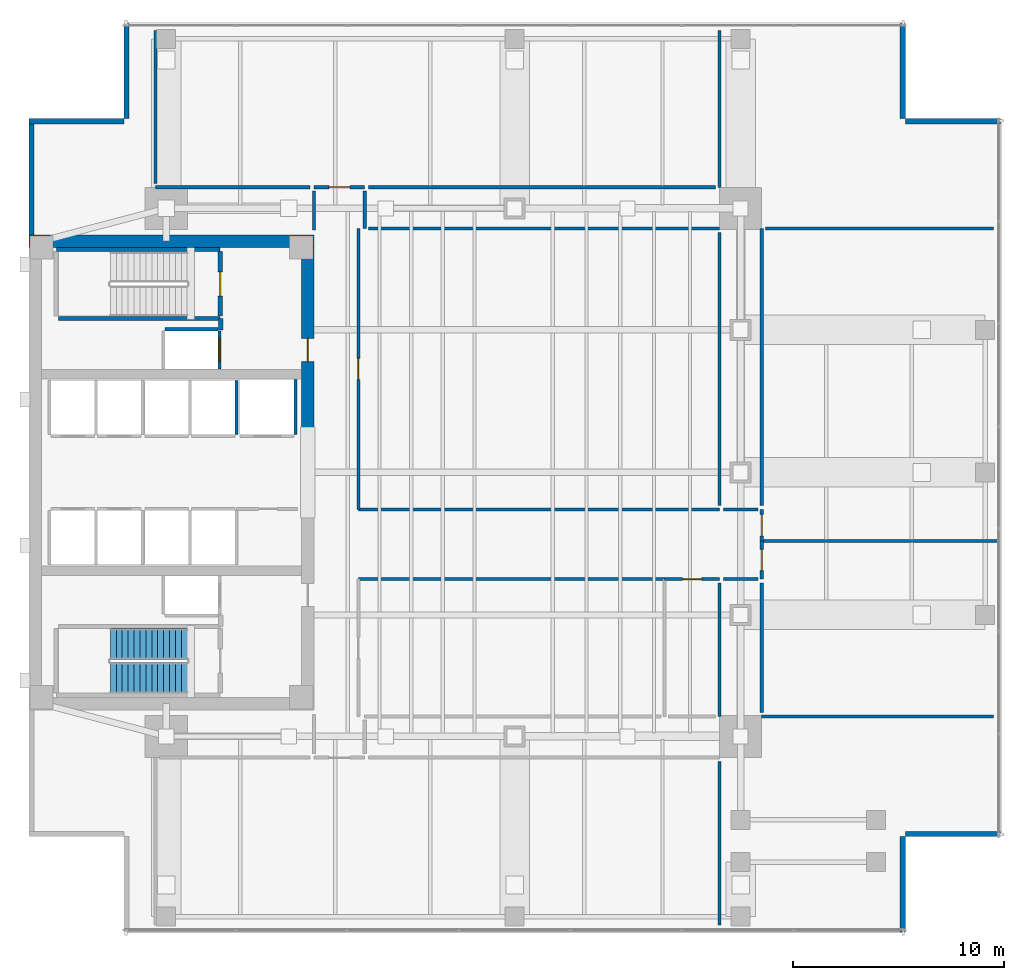
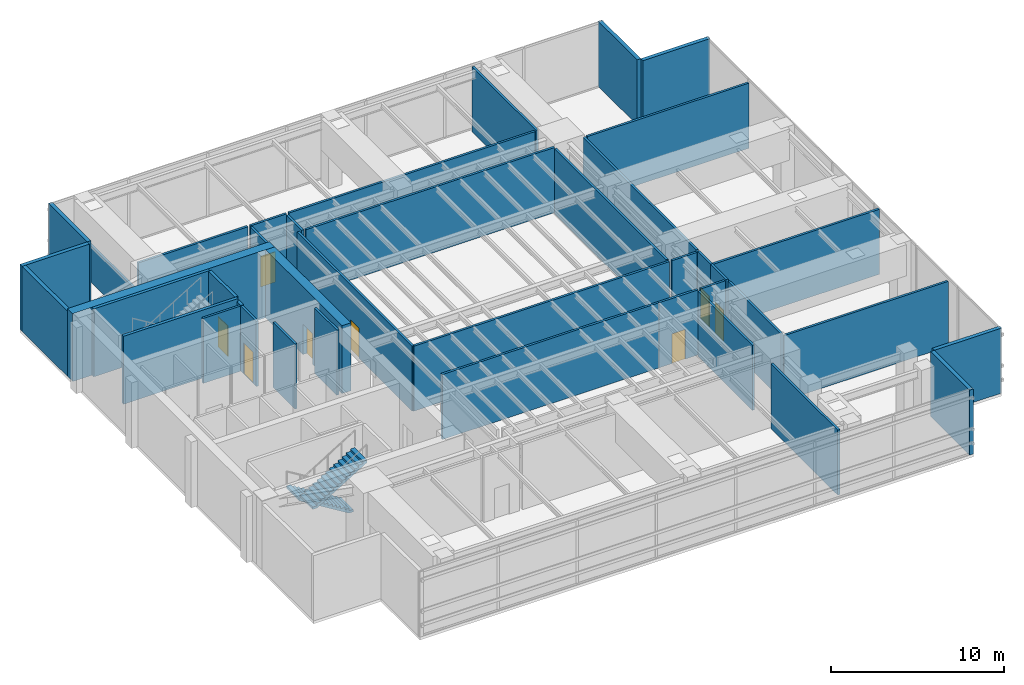
# One storey, part 9 of 14: 41 walls, 8 doors, 2 stair flights, 8 openings, 1 element without a shape of its own.
"""IFC4 building model written with IfcOpenShell, lengths in metres."""

from ifc_helpers import new_model, si_unit, direction, frame, frame_2d, origin, place, context, subcontext, project, spatial, polyline, rectangle, outline, extrude, material, layer, layer_set, type_object, element, fill, aggregate, save


model = new_model("IFC4")

# Units and contexts
model_context = context("Model", 3, precision=1e-05, world=origin(), true_north=direction((0.0, 1.0)))
body_context = subcontext(model_context, "Body", "Model", "MODEL_VIEW")
ifc_project = project(units=[si_unit("LENGTHUNIT", "METRE"), si_unit("AREAUNIT", "SQUARE_METRE"), si_unit("VOLUMEUNIT", "CUBIC_METRE"), si_unit("PLANEANGLEUNIT", "RADIAN"), si_unit("MASSUNIT", "GRAM", prefix="KILO")], contexts=[model_context])

# Site, building, storey
site_placement = place(None, origin())
site = spatial("IfcSite", under=ifc_project, at=site_placement, CompositionType="ELEMENT")
building_placement = place(site_placement, origin())
building = spatial("IfcBuilding", under=site, at=building_placement, Name="Kinhvarn Gate Tower", CompositionType="ELEMENT")
storey_placement = place(building_placement, frame((0.0, 0.0, 173.25)))
storey = spatial("IfcBuildingStorey", under=building, at=storey_placement, Name="L46", CompositionType="ELEMENT", Elevation=173.25)

# Wall
ifc_material_1 = material(Name="Concrete C60/75", Category="concrete")
ifc_layer_1 = layer(ifc_material_1, 0.60009765625)
ifc_layer_set_1 = layer_set([ifc_layer_1], Name="Concrete C60/75")
wall_type_1 = type_object("IfcWallType", Name="WL-CORE-600", PredefinedType="SHEAR", material=ifc_layer_set_1)
wall_1_placement = place(storey_placement, frame((4.5, 36.199951171875, 0.0), z_axis=(0.0, 0.0, 1.0), x_axis=(1.0, 0.0, 0.0)))
element("IfcWall", 1, at=wall_1_placement, inside=storey, type_object=wall_type_1, Name="Core North Shear Wall L46 600 mm", PredefinedType="SHEAR", context=body_context, shape_type="SweptSolid", body=[
    extrude(rectangle(XDim=13.5, YDim=0.60009765625, at=frame_2d((6.75, 0.0))), origin(), (0.0, 0.0, 1.0), 4.800048828125),
])

# Wall, opening, door
wall_2_placement = place(storey_placement, frame((17.699951171875, 27.050048828125, 0.0), z_axis=(0.0, 0.0, 1.0), x_axis=(0.0, 1.0, 0.0)))
wall_2 = element("IfcWall", 2, at=wall_2_placement, inside=storey, type_object=wall_type_1, Name="Core East-North Shear Pier L46 600 mm", PredefinedType="SHEAR", context=body_context, shape_type="SweptSolid", body=[
    extrude(rectangle(XDim=8.849853515625, YDim=0.60009765625, at=frame_2d((4.4248046875, 0.0))), origin(), (0.0, 0.0, 1.0), 4.800048828125),
])
opening_1_placement = place(wall_2_placement, frame((3.449951171875, 0.0, 0.0)))
opening_1 = element("IfcOpeningElement", 3, at=opening_1_placement, cuts=wall_2, Name="Opening FD-02", PredefinedType="OPENING", context=body_context, shape_type="SweptSolid", body=[
    extrude(rectangle(XDim=1.10009765625, YDim=2.14990234375, at=frame_2d((0.550048828125, 1.074951171875))), frame((0.0, 0.31005859375, 0.0), z_axis=(0.0, -1.0, 0.0), x_axis=(1.0, 0.0, 0.0)), (0.0, 0.0, 1.0), 0.6201171875),
])
ifc_material_2 = material(Name="Anodised aluminium AW-6063", Category="aluminium")
door_type_1 = type_object("IfcDoorType", Name="DR-FD-1100", OperationType="NOTDEFINED", PredefinedType="DOOR", material=ifc_material_2)
door_1_placement = place(opening_1_placement, origin())
door_1 = element("IfcDoor", 4, at=door_1_placement, inside=storey, type_object=door_type_1, Name="Firefighting Lobby Core Door (L46)", OperationType="SINGLE_SWING_LEFT", OverallHeight=2.14990234375, OverallWidth=1.10009765625, PredefinedType="DOOR", context=body_context, shape_type="SweptSolid", body=[
    extrude(rectangle(XDim=1.10009765625, YDim=2.14990234375, at=frame_2d((0.550048828125, 1.074951171875))), frame((0.0, 0.02490234375, 0.0), z_axis=(0.0, -1.0, 0.0), x_axis=(1.0, 0.0, 0.0)), (0.0, 0.0, 1.0), 0.050048828125),
])
fill(opening_1, door_1)

# Walls
ifc_material_3 = material(Name="Fired architectural terracotta", Category="masonry")
ifc_layer_2 = layer(ifc_material_3, 0.25)
ifc_layer_set_2 = layer_set([ifc_layer_2], Name="Fired architectural terracotta")
wall_type_2 = type_object("IfcWallType", Name="WL-EXT-250", PredefinedType="SOLIDWALL", material=ifc_layer_set_2)
wall_3_placement = place(storey_placement, frame((4.625, 42.0, 0.0), z_axis=(0.0, 0.0, 1.0), x_axis=(0.0, -1.0, 0.0)))
element("IfcWall", 5, at=wall_3_placement, inside=storey, type_object=wall_type_2, Name="Exterior Solidwall Wall EW-250 (L46 West-North)", PredefinedType="SOLIDWALL", context=body_context, shape_type="SweptSolid", body=[
    extrude(rectangle(XDim=5.5, YDim=0.25, at=frame_2d((2.75, 0.0))), origin(), (0.0, 0.0, 1.0), 4.60009765625),
])
for number, where, z_axis, x_axis, name in (
    (6, (45.875, 3.5, 0.0), (0.0, 0.0, 1.0), (0.0, 1.0, 0.0), "Exterior Solidwall Wall EW-250 (L46 SE-Notch-1)"),
    (7, (46.0, 8.125, 0.0), (0.0, 0.0, 1.0), (1.0, 0.0, 0.0), "Exterior Solidwall Wall EW-250 (L46 SE-Notch-2)"),
    (8, (50.5, 41.875, 0.0), (0.0, 0.0, 1.0), (-1.0, 0.0, 0.0), "Exterior Solidwall Wall EW-250 (L46 NE-Notch-1)"),
    (9, (45.875, 42.0, 0.0), (0.0, 0.0, 1.0), (0.0, 1.0, 0.0), "Exterior Solidwall Wall EW-250 (L46 NE-Notch-2)"),
    (10, (9.125, 46.5, 0.0), (0.0, 0.0, 1.0), (0.0, -1.0, 0.0), "Exterior Solidwall Wall EW-250 (L46 NW-Notch-1)"),
    (11, (9.0, 41.875, 0.0), (0.0, 0.0, 1.0), (-1.0, 0.0, 0.0), "Exterior Solidwall Wall EW-250 (L46 NW-Notch-2)"),
):
    element("IfcWall", number, at=place(storey_placement, frame(where, z_axis=z_axis, x_axis=x_axis)), inside=storey, type_object=wall_type_2, Name=name, PredefinedType="SOLIDWALL", context=body_context, shape_type="SweptSolid", body=[
        extrude(rectangle(XDim=4.5, YDim=0.25, at=frame_2d((2.25, 0.0))), origin(), (0.0, 0.0, 1.0), 4.60009765625),
    ])

# Wall, opening, door
ifc_material_4 = material(Name="Gypsum acoustic partition board")
ifc_layer_3 = layer(ifc_material_4, 0.14990234375)
ifc_layer_set_3 = layer_set([ifc_layer_3], Name="Gypsum acoustic partition board")
wall_type_3 = type_object("IfcWallType", Name="WL-PLM-150F", PredefinedType="PLUMBINGWALL", material=ifc_layer_set_3)
wall_4_placement = place(storey_placement, frame((34.60009765625, 20.199951171875, 0.0), z_axis=(0.0, 0.0, 1.0), x_axis=(1.0, 0.0, 0.0)))
wall_4 = element("IfcWall", 12, at=wall_4_placement, inside=storey, type_object=wall_type_3, Name="Interior Partition PLW-150F (L46)", PredefinedType="PLUMBINGWALL", context=body_context, shape_type="SweptSolid", body=[
    extrude(rectangle(XDim=2.599853515625, YDim=0.14990234375, at=frame_2d((1.2998046875, 0.0))), origin(), (0.0, 0.0, 1.0), 4.60009765625),
])
opening_2_placement = place(wall_4_placement, frame((0.85009765625, 0.0, 0.0)))
opening_2 = element("IfcOpeningElement", 13, at=opening_2_placement, cuts=wall_4, Name="Opening FD-04", PredefinedType="OPENING", context=body_context, shape_type="SweptSolid", body=[
    extrude(rectangle(XDim=0.89990234375, YDim=2.10009765625, at=frame_2d((0.449951171875, 1.050048828125))), frame((0.0, 0.0849609375, 0.0), z_axis=(0.0, -1.0, 0.0), x_axis=(1.0, 0.0, 0.0)), (0.0, 0.0, 1.0), 0.169921875),
])
door_type_2 = type_object("IfcDoorType", Name="DR-FD-900", OperationType="NOTDEFINED", PredefinedType="DOOR", material=ifc_material_2)
door_2_placement = place(opening_2_placement, origin())
door_2 = element("IfcDoor", 14, at=door_2_placement, inside=storey, type_object=door_type_2, Name="Rated Riser & Service Closet Fire Door 900x2100 mm (L46)", OperationType="SINGLE_SWING_LEFT", OverallHeight=2.10009765625, OverallWidth=0.89990234375, PredefinedType="DOOR", context=body_context, shape_type="SweptSolid", body=[
    extrude(rectangle(XDim=0.89990234375, YDim=2.10009765625, at=frame_2d((0.449951171875, 1.050048828125))), frame((0.0, 0.02490234375, 0.0), z_axis=(0.0, -1.0, 0.0), x_axis=(1.0, 0.0, 0.0)), (0.0, 0.0, 1.0), 0.050048828125),
])
fill(opening_2, door_2)

ifc_layer_4 = layer(ifc_material_4, 0.14990234375)
ifc_layer_set_4 = layer_set([ifc_layer_4], Name="Gypsum acoustic partition board")
wall_type_4 = type_object("IfcWallType", Name="WL-PRT-150F", PredefinedType="PARTITIONING", material=ifc_layer_set_4)
wall_5_placement = place(storey_placement, frame((20.10009765625, 23.5, 0.0), z_axis=(0.0, 0.0, 1.0), x_axis=(0.0, 1.0, 0.0)))
wall_5 = element("IfcWall", 15, at=wall_5_placement, inside=storey, type_object=wall_type_4, Name="Interior Partition PW-150F (L46)", PredefinedType="PARTITIONING", context=body_context, shape_type="SweptSolid", body=[
    extrude(rectangle(XDim=13.300048828125, YDim=0.14990234375, at=frame_2d((6.64990234375, 0.0))), origin(), (0.0, 0.0, 1.0), 4.60009765625),
])
opening_3_placement = place(wall_5_placement, frame((6.14990234375, 0.0, 0.0)))
opening_3 = element("IfcOpeningElement", 16, at=opening_3_placement, cuts=wall_5, Name="Opening FD-03", PredefinedType="OPENING", context=body_context, shape_type="SweptSolid", body=[
    extrude(rectangle(XDim=1.0, YDim=2.14990234375, at=frame_2d((0.5, 1.074951171875))), frame((0.0, 0.0849609375, 0.0), z_axis=(0.0, -1.0, 0.0), x_axis=(1.0, 0.0, 0.0)), (0.0, 0.0, 1.0), 0.169921875),
])
door_type_3 = type_object("IfcDoorType", Name="DR-FD-1000", OperationType="NOTDEFINED", PredefinedType="DOOR", material=ifc_material_2)
door_3_placement = place(opening_3_placement, origin())
door_3 = element("IfcDoor", 17, at=door_3_placement, inside=storey, type_object=door_type_3, Name="Rated Plant & Corridor Fire Door 1000x2150 mm (L46)", OperationType="SINGLE_SWING_RIGHT", OverallHeight=2.14990234375, OverallWidth=1.0, PredefinedType="DOOR", context=body_context, shape_type="SweptSolid", body=[
    extrude(rectangle(XDim=1.0, YDim=2.14990234375, at=frame_2d((0.5, 1.074951171875))), frame((0.0, 0.02490234375, 0.0), z_axis=(0.0, -1.0, 0.0), x_axis=(1.0, 0.0, 0.0)), (0.0, 0.0, 1.0), 0.050048828125),
])
fill(opening_3, door_3)

wall_6_placement = place(storey_placement, frame((18.0, 38.75, 0.0), z_axis=(0.0, 0.0, 1.0), x_axis=(1.0, 0.0, 0.0)))
wall_6 = element("IfcWall", 18, at=wall_6_placement, inside=storey, type_object=wall_type_4, Name="Interior Partition PW-150F (L46)", PredefinedType="PARTITIONING", context=body_context, shape_type="SweptSolid", body=[
    extrude(rectangle(XDim=2.39990234375, YDim=0.14990234375, at=frame_2d((1.199951171875, 0.0))), origin(), (0.0, 0.0, 1.0), 4.60009765625),
])
opening_4_placement = place(wall_6_placement, frame((0.699951171875, 0.0, 0.0)))
opening_4 = element("IfcOpeningElement", 19, at=opening_4_placement, cuts=wall_6, Name="Opening FD-03", PredefinedType="OPENING", context=body_context, shape_type="SweptSolid", body=[
    extrude(rectangle(XDim=1.0, YDim=2.14990234375, at=frame_2d((0.5, 1.074951171875))), frame((0.0, 0.0849609375, 0.0), z_axis=(0.0, -1.0, 0.0), x_axis=(1.0, 0.0, 0.0)), (0.0, 0.0, 1.0), 0.169921875),
])
door_4_placement = place(opening_4_placement, origin())
door_4 = element("IfcDoor", 20, at=door_4_placement, inside=storey, type_object=door_type_3, Name="Rated Plant & Corridor Fire Door 1000x2150 mm (L46)", OperationType="SINGLE_SWING_RIGHT", OverallHeight=2.14990234375, OverallWidth=1.0, PredefinedType="DOOR", context=body_context, shape_type="SweptSolid", body=[
    extrude(rectangle(XDim=1.0, YDim=2.14990234375, at=frame_2d((0.5, 1.074951171875))), frame((0.0, 0.02490234375, 0.0), z_axis=(0.0, -1.0, 0.0), x_axis=(1.0, 0.0, 0.0)), (0.0, 0.0, 1.0), 0.050048828125),
])
fill(opening_4, door_4)

# Walls
wall_7_placement = place(storey_placement, frame((20.10009765625, 20.199951171875, 0.0), z_axis=(0.0, 0.0, 1.0), x_axis=(1.0, 0.0, 0.0)))
element("IfcWall", 21, at=wall_7_placement, inside=storey, type_object=wall_type_4, Name="Interior Partition PW-150F (L46)", PredefinedType="PARTITIONING", context=body_context, shape_type="SweptSolid", body=[
    extrude(rectangle(XDim=14.5, YDim=0.14990234375, at=frame_2d((7.25, 0.0))), origin(), (0.0, 0.0, 1.0), 4.60009765625),
])
wall_8_placement = place(storey_placement, frame((20.10009765625, 23.5, 0.0), z_axis=(0.0, 0.0, 1.0), x_axis=(1.0, 0.0, 0.0)))
element("IfcWall", 22, at=wall_8_placement, inside=storey, type_object=wall_type_4, Name="Interior Partition PW-150F (L46)", PredefinedType="PARTITIONING", context=body_context, shape_type="SweptSolid", body=[
    extrude(rectangle(XDim=17.099853515625, YDim=0.14990234375, at=frame_2d((8.5498046875, 0.0))), origin(), (0.0, 0.0, 1.0), 4.60009765625),
])

# Wall, opening, door
wall_9_placement = place(storey_placement, frame((39.199951171875, 20.199951171875, 0.0), z_axis=(0.0, 0.0, 1.0), x_axis=(0.0, 1.0, 0.0)))
wall_9 = element("IfcWall", 23, at=wall_9_placement, inside=storey, type_object=wall_type_4, Name="Interior Partition PW-150F (L46)", PredefinedType="PARTITIONING", context=body_context, shape_type="SweptSolid", body=[
    extrude(rectangle(XDim=1.800048828125, YDim=0.14990234375, at=frame_2d((0.89990234375, 0.0))), origin(), (0.0, 0.0, 1.0), 4.60009765625),
])
opening_5_placement = place(wall_9_placement, frame((0.39990234375, 0.0, 0.0)))
opening_5 = element("IfcOpeningElement", 24, at=opening_5_placement, cuts=wall_9, Name="Opening FD-03", PredefinedType="OPENING", context=body_context, shape_type="SweptSolid", body=[
    extrude(rectangle(XDim=1.0, YDim=2.14990234375, at=frame_2d((0.5, 1.074951171875))), frame((0.0, 0.0849609375, 0.0), z_axis=(0.0, -1.0, 0.0), x_axis=(1.0, 0.0, 0.0)), (0.0, 0.0, 1.0), 0.169921875),
])
door_5_placement = place(opening_5_placement, origin())
door_5 = element("IfcDoor", 25, at=door_5_placement, inside=storey, type_object=door_type_3, Name="Rated Plant & Corridor Fire Door 1000x2150 mm (L46)", OperationType="SINGLE_SWING_RIGHT", OverallHeight=2.14990234375, OverallWidth=1.0, PredefinedType="DOOR", context=body_context, shape_type="SweptSolid", body=[
    extrude(rectangle(XDim=1.0, YDim=2.14990234375, at=frame_2d((0.5, 1.074951171875))), frame((0.0, 0.02490234375, 0.0), z_axis=(0.0, -1.0, 0.0), x_axis=(1.0, 0.0, 0.0)), (0.0, 0.0, 1.0), 0.050048828125),
])
fill(opening_5, door_5)

wall_10_placement = place(storey_placement, frame((39.199951171875, 22.0, 0.0), z_axis=(0.0, 0.0, 1.0), x_axis=(0.0, 1.0, 0.0)))
wall_10 = element("IfcWall", 26, at=wall_10_placement, inside=storey, type_object=wall_type_4, Name="Interior Partition PW-150F (L46)", PredefinedType="PARTITIONING", context=body_context, shape_type="SweptSolid", body=[
    extrude(rectangle(XDim=1.5, YDim=0.14990234375, at=frame_2d((0.75, 0.0))), origin(), (0.0, 0.0, 1.0), 4.60009765625),
])
opening_6_placement = place(wall_10_placement, frame((0.25, 0.0, 0.0)))
opening_6 = element("IfcOpeningElement", 27, at=opening_6_placement, cuts=wall_10, Name="Opening FD-03", PredefinedType="OPENING", context=body_context, shape_type="SweptSolid", body=[
    extrude(rectangle(XDim=1.0, YDim=2.14990234375, at=frame_2d((0.5, 1.074951171875))), frame((0.0, 0.0849609375, 0.0), z_axis=(0.0, -1.0, 0.0), x_axis=(1.0, 0.0, 0.0)), (0.0, 0.0, 1.0), 0.169921875),
])
door_6_placement = place(opening_6_placement, origin())
door_6 = element("IfcDoor", 28, at=door_6_placement, inside=storey, type_object=door_type_3, Name="Rated Plant & Corridor Fire Door 1000x2150 mm (L46)", OperationType="SINGLE_SWING_LEFT", OverallHeight=2.14990234375, OverallWidth=1.0, PredefinedType="DOOR", context=body_context, shape_type="SweptSolid", body=[
    extrude(rectangle(XDim=1.0, YDim=2.14990234375, at=frame_2d((0.5, 1.074951171875))), frame((0.0, 0.02490234375, 0.0), z_axis=(0.0, -1.0, 0.0), x_axis=(1.0, 0.0, 0.0)), (0.0, 0.0, 1.0), 0.050048828125),
])
fill(opening_6, door_6)

# Walls
wall_11_placement = place(storey_placement, frame((39.199951171875, 22.0, 0.0), z_axis=(0.0, 0.0, 1.0), x_axis=(1.0, 0.0, 0.0)))
element("IfcWall", 29, at=wall_11_placement, inside=storey, type_object=wall_type_4, Name="Interior Partition PW-150F (L46)", PredefinedType="PARTITIONING", context=body_context, shape_type="SweptSolid", body=[
    extrude(rectangle(XDim=11.179931640625, YDim=0.14990234375, at=frame_2d((5.58984375, 0.0))), origin(), (0.0, 0.0, 1.0), 4.60009765625),
])
wall_12_placement = place(storey_placement, frame((17.820068359375, 38.75, 0.0), z_axis=(0.0, 0.0, 1.0), x_axis=(-1.0, 0.0, 0.0)))
element("IfcWall", 30, at=wall_12_placement, inside=storey, type_object=wall_type_4, Name="Interior Partition PW-150F (L46)", PredefinedType="PARTITIONING", context=body_context, shape_type="SweptSolid", body=[
    extrude(rectangle(XDim=7.320068359375, YDim=0.14990234375, at=frame_2d((3.66015625, 0.0))), origin(), (0.0, 0.0, 1.0), 4.60009765625),
])
wall_13_placement = place(storey_placement, frame((10.5, 38.929931640625, 0.0), z_axis=(0.0, 0.0, 1.0), x_axis=(0.0, 1.0, 0.0)))
element("IfcWall", 31, at=wall_13_placement, inside=storey, type_object=wall_type_4, Name="Interior Partition PW-150F (L46)", PredefinedType="PARTITIONING", context=body_context, shape_type="SweptSolid", body=[
    extrude(rectangle(XDim=7.25, YDim=0.14990234375, at=frame_2d((3.625, 0.0))), origin(), (0.0, 0.0, 1.0), 2.60009765625),
])
wall_14_placement = place(storey_placement, frame((37.199951171875, 46.179931640625, 0.0), z_axis=(0.0, 0.0, 1.0), x_axis=(0.0, -1.0, 0.0)))
element("IfcWall", 32, at=wall_14_placement, inside=storey, type_object=wall_type_4, Name="Interior Partition PW-150F (L46)", PredefinedType="PARTITIONING", context=body_context, shape_type="SweptSolid", body=[
    extrude(rectangle(XDim=7.429931640625, YDim=0.14990234375, at=frame_2d((3.71484375, 0.0))), origin(), (0.0, 0.0, 1.0), 4.60009765625),
])
wall_15_placement = place(storey_placement, frame((37.02001953125, 38.75, 0.0), z_axis=(0.0, 0.0, 1.0), x_axis=(-1.0, 0.0, 0.0)))
element("IfcWall", 33, at=wall_15_placement, inside=storey, type_object=wall_type_4, Name="Interior Partition PW-150F (L46)", PredefinedType="PARTITIONING", context=body_context, shape_type="SweptSolid", body=[
    extrude(rectangle(XDim=16.43994140625, YDim=0.14990234375, at=frame_2d((8.219970703125, 0.0))), origin(), (0.0, 0.0, 1.0), 4.60009765625),
])
wall_16_placement = place(storey_placement, frame((20.39990234375, 38.570068359375, 0.0), z_axis=(0.0, 0.0, 1.0), x_axis=(0.0, -1.0, 0.0)))
element("IfcWall", 34, at=wall_16_placement, inside=storey, type_object=wall_type_4, Name="Interior Partition PW-150F (L46)", PredefinedType="PARTITIONING", context=body_context, shape_type="SweptSolid", body=[
    extrude(rectangle(XDim=1.77001953125, YDim=0.14990234375, at=frame_2d((0.885009765625, 0.0))), origin(), (0.0, 0.0, 1.0), 4.60009765625),
])
wall_17_placement = place(storey_placement, frame((20.580078125, 36.800048828125, 0.0), z_axis=(0.0, 0.0, 1.0), x_axis=(1.0, 0.0, 0.0)))
element("IfcWall", 35, at=wall_17_placement, inside=storey, type_object=wall_type_4, Name="Interior Partition PW-150F (L46)", PredefinedType="PARTITIONING", context=body_context, shape_type="SweptSolid", body=[
    extrude(rectangle(XDim=16.619873046875, YDim=0.14990234375, at=frame_2d((8.31005859375, 0.0))), origin(), (0.0, 0.0, 1.0), 4.60009765625),
])
wall_18_placement = place(storey_placement, frame((37.199951171875, 36.6201171875, 0.0), z_axis=(0.0, 0.0, 1.0), x_axis=(0.0, -1.0, 0.0)))
element("IfcWall", 36, at=wall_18_placement, inside=storey, type_object=wall_type_4, Name="Interior Partition PW-150F (L46)", PredefinedType="PARTITIONING", context=body_context, shape_type="SweptSolid", body=[
    extrude(rectangle(XDim=12.940185546875, YDim=0.14990234375, at=frame_2d((6.47021484375, 0.0))), origin(), (0.0, 0.0, 1.0), 4.60009765625),
])
wall_19_placement = place(storey_placement, frame((37.3798828125, 23.5, 0.0), z_axis=(0.0, 0.0, 1.0), x_axis=(1.0, 0.0, 0.0)))
element("IfcWall", 37, at=wall_19_placement, inside=storey, type_object=wall_type_4, Name="Interior Partition PW-150F (L46)", PredefinedType="PARTITIONING", context=body_context, shape_type="SweptSolid", body=[
    extrude(rectangle(XDim=1.64013671875, YDim=0.14990234375, at=frame_2d((0.820068359375, 0.0))), origin(), (0.0, 0.0, 1.0), 4.60009765625),
])
wall_20_placement = place(storey_placement, frame((39.199951171875, 23.679931640625, 0.0), z_axis=(0.0, 0.0, 1.0), x_axis=(0.0, 1.0, 0.0)))
element("IfcWall", 38, at=wall_20_placement, inside=storey, type_object=wall_type_4, Name="Interior Partition PW-150F (L46)", PredefinedType="PARTITIONING", context=body_context, shape_type="SweptSolid", body=[
    extrude(rectangle(XDim=13.1201171875, YDim=0.14990234375, at=frame_2d((6.56005859375, 0.0))), origin(), (0.0, 0.0, 1.0), 4.60009765625),
])
wall_21_placement = place(storey_placement, frame((39.3798828125, 36.800048828125, 0.0), z_axis=(0.0, 0.0, 1.0), x_axis=(1.0, 0.0, 0.0)))
element("IfcWall", 39, at=wall_21_placement, inside=storey, type_object=wall_type_4, Name="Interior Partition PW-150F (L46)", PredefinedType="PARTITIONING", context=body_context, shape_type="SweptSolid", body=[
    extrude(rectangle(XDim=10.800048828125, YDim=0.14990234375, at=frame_2d((5.39990234375, 0.0))), origin(), (0.0, 0.0, 1.0), 4.60009765625),
])
wall_22_placement = place(storey_placement, frame((50.179931640625, 13.699951171875, 0.0), z_axis=(0.0, 0.0, 1.0), x_axis=(-1.0, 0.0, 0.0)))
element("IfcWall", 40, at=wall_22_placement, inside=storey, type_object=wall_type_4, Name="Interior Partition PW-150F (L46)", PredefinedType="PARTITIONING", context=body_context, shape_type="SweptSolid", body=[
    extrude(rectangle(XDim=10.97998046875, YDim=0.14990234375, at=frame_2d((5.489990234375, 0.0))), origin(), (0.0, 0.0, 1.0), 4.60009765625),
])
wall_23_placement = place(storey_placement, frame((39.199951171875, 13.8798828125, 0.0), z_axis=(0.0, 0.0, 1.0), x_axis=(0.0, 1.0, 0.0)))
element("IfcWall", 41, at=wall_23_placement, inside=storey, type_object=wall_type_4, Name="Interior Partition PW-150F (L46)", PredefinedType="PARTITIONING", context=body_context, shape_type="SweptSolid", body=[
    extrude(rectangle(XDim=6.14013671875, YDim=0.14990234375, at=frame_2d((3.070068359375, 0.0))), origin(), (0.0, 0.0, 1.0), 4.60009765625),
])
wall_24_placement = place(storey_placement, frame((39.02001953125, 20.199951171875, 0.0), z_axis=(0.0, 0.0, 1.0), x_axis=(-1.0, 0.0, 0.0)))
element("IfcWall", 42, at=wall_24_placement, inside=storey, type_object=wall_type_4, Name="Interior Partition PW-150F (L46)", PredefinedType="PARTITIONING", context=body_context, shape_type="SweptSolid", body=[
    extrude(rectangle(XDim=1.64013671875, YDim=0.14990234375, at=frame_2d((0.820068359375, 0.0))), origin(), (0.0, 0.0, 1.0), 4.60009765625),
])
wall_25_placement = place(storey_placement, frame((37.199951171875, 20.02001953125, 0.0), z_axis=(0.0, 0.0, 1.0), x_axis=(0.0, -1.0, 0.0)))
element("IfcWall", 43, at=wall_25_placement, inside=storey, type_object=wall_type_4, Name="Interior Partition PW-150F (L46)", PredefinedType="PARTITIONING", context=body_context, shape_type="SweptSolid", body=[
    extrude(rectangle(XDim=6.320068359375, YDim=0.14990234375, at=frame_2d((3.16015625, 0.0))), origin(), (0.0, 0.0, 1.0), 4.60009765625),
])
wall_26_placement = place(storey_placement, frame((37.199951171875, 11.570068359375, 0.0), z_axis=(0.0, 0.0, 1.0), x_axis=(0.0, -1.0, 0.0)))
element("IfcWall", 44, at=wall_26_placement, inside=storey, type_object=wall_type_4, Name="Interior Partition PW-150F (L46)", PredefinedType="PARTITIONING", context=body_context, shape_type="SweptSolid", body=[
    extrude(rectangle(XDim=7.75, YDim=0.14990234375, at=frame_2d((3.875, 0.0))), origin(), (0.0, 0.0, 1.0), 4.60009765625),
])
wall_27_placement = place(storey_placement, frame((18.0, 36.719970703125, 0.0), z_axis=(0.0, 0.0, 1.0), x_axis=(0.0, 1.0, 0.0)))
element("IfcWall", 45, at=wall_27_placement, inside=storey, type_object=wall_type_4, Name="Interior Partition PW-150F (L46)", PredefinedType="PARTITIONING", context=body_context, shape_type="SweptSolid", body=[
    extrude(rectangle(XDim=1.85009765625, YDim=0.14990234375, at=frame_2d((0.925048828125, 0.0))), origin(), (0.0, 0.0, 1.0), 4.60009765625),
])
ifc_layer_5 = layer(ifc_material_4, 0.199951171875)
ifc_layer_set_5 = layer_set([ifc_layer_5], Name="Gypsum acoustic partition board")
wall_type_5 = type_object("IfcWallType", Name="WL-PRT-200", PredefinedType="PARTITIONING", material=ifc_layer_set_5)
wall_28_placement = place(storey_placement, frame((13.580078125, 32.0, 0.0), z_axis=(0.0, 0.0, 1.0), x_axis=(0.0, 1.0, 0.0)))
element("IfcWall", 46, at=wall_28_placement, inside=storey, type_object=wall_type_5, Name="Interior Partition PW-200 (L46)", PredefinedType="PARTITIONING", context=body_context, shape_type="SweptSolid", body=[
    extrude(rectangle(XDim=0.5400390625, YDim=0.199951171875, at=frame_2d((0.27001953125, 0.0))), origin(), (0.0, 0.0, 1.0), 4.60009765625),
])
ifc_layer_6 = layer(ifc_material_4, 0.14990234375)
ifc_layer_set_6 = layer_set([ifc_layer_6], Name="Gypsum acoustic partition board")
wall_type_6 = type_object("IfcWallType", Name="WL-SHF-150", PredefinedType="PARTITIONING", material=ifc_layer_set_6)
wall_29_placement = place(storey_placement, frame((14.324951171875, 27.050048828125, 0.0), z_axis=(0.0, 0.0, 1.0), x_axis=(0.0, 1.0, 0.0)))
element("IfcWall", 47, at=wall_29_placement, inside=storey, type_object=wall_type_6, Name="Elevator PH-12 Hoistway Wall E (L46)", PredefinedType="PARTITIONING", context=body_context, shape_type="SweptSolid", body=[
    extrude(rectangle(XDim=2.550048828125, YDim=0.14990234375, at=frame_2d((1.27490234375, 0.0))), origin(), (0.0, 0.0, 1.0), 4.60009765625),
])
wall_30_placement = place(storey_placement, frame((17.125, 27.050048828125, 0.0), z_axis=(0.0, 0.0, 1.0), x_axis=(0.0, 1.0, 0.0)))
element("IfcWall", 48, at=wall_30_placement, inside=storey, type_object=wall_type_6, Name="Elevator SV-01 Hoistway Wall E (L46)", PredefinedType="PARTITIONING", context=body_context, shape_type="SweptSolid", body=[
    extrude(rectangle(XDim=2.599853515625, YDim=0.14990234375, at=frame_2d((1.2998046875, 0.0))), origin(), (0.0, 0.0, 1.0), 4.60009765625),
])
wall_31_placement = place(storey_placement, frame((10.949951171875, 32.02490234375, 0.0), z_axis=(0.0, 0.0, 1.0), x_axis=(1.0, 0.0, 0.0)))
element("IfcWall", 49, at=wall_31_placement, inside=storey, type_object=wall_type_6, Name="Elevator FF2 Hoistway Wall N (L46)", PredefinedType="PARTITIONING", context=body_context, shape_type="SweptSolid", body=[
    extrude(rectangle(XDim=2.5, YDim=0.14990234375, at=frame_2d((1.25, 0.0))), origin(), (0.0, 0.0, 1.0), 4.60009765625),
])

# Wall, opening, door
wall_32_placement = place(storey_placement, frame((13.52490234375, 30.14990234375, 0.0), z_axis=(0.0, 0.0, 1.0), x_axis=(0.0, 1.0, 0.0)))
wall_32 = element("IfcWall", 50, at=wall_32_placement, inside=storey, type_object=wall_type_6, Name="Elevator FF2 Landing Wall (L46)", PredefinedType="PARTITIONING", context=body_context, shape_type="SweptSolid", body=[
    extrude(rectangle(XDim=1.800048828125, YDim=0.14990234375, at=frame_2d((0.89990234375, 0.0))), origin(), (0.0, 0.0, 1.0), 4.60009765625),
])
opening_7_placement = place(wall_32_placement, frame((0.35009765625, 0.0, 0.0)))
opening_7 = element("IfcOpeningElement", 51, at=opening_7_placement, cuts=wall_32, Name="Opening LD-03", PredefinedType="OPENING", context=body_context, shape_type="SweptSolid", body=[
    extrude(rectangle(XDim=1.10009765625, YDim=2.199951171875, at=frame_2d((0.550048828125, 1.10009765625))), frame((0.0, 0.0849609375, 0.0), z_axis=(0.0, -1.0, 0.0), x_axis=(1.0, 0.0, 0.0)), (0.0, 0.0, 1.0), 0.169921875),
])
door_type_4 = type_object("IfcDoorType", Name="DR-LND-FF", OperationType="NOTDEFINED", PredefinedType="DOOR", material=ifc_material_2)
door_7_placement = place(opening_7_placement, origin())
door_7 = element("IfcDoor", 52, at=door_7_placement, inside=storey, type_object=door_type_4, Name="Elevator FF2 Sliding Landing Door (L46)", OperationType="DOUBLE_DOOR_SLIDING", OverallHeight=2.199951171875, OverallWidth=1.10009765625, PredefinedType="DOOR", context=body_context, shape_type="SweptSolid", body=[
    extrude(rectangle(XDim=1.10009765625, YDim=2.199951171875, at=frame_2d((0.550048828125, 1.10009765625))), frame((0.0, 0.02490234375, 0.0), z_axis=(0.0, -1.0, 0.0), x_axis=(1.0, 0.0, 0.0)), (0.0, 0.0, 1.0), 0.050048828125),
])
fill(opening_7, door_7)

# Walls
ifc_material_5 = material(Name="Concrete C40/50", Category="concrete")
ifc_layer_7 = layer(ifc_material_5, 0.199951171875)
ifc_layer_set_7 = layer_set([ifc_layer_7], Name="Concrete C40/50")
wall_type_7 = type_object("IfcWallType", Name="WL-SHF-200", PredefinedType="SOLIDWALL", material=ifc_layer_set_7)
wall_33_placement = place(storey_placement, frame((5.800048828125, 35.800048828125, 0.0), z_axis=(0.0, 0.0, 1.0), x_axis=(1.0, 0.0, 0.0)))
element("IfcWall", 53, at=wall_33_placement, inside=storey, type_object=wall_type_7, Name="Stair ST2 North Shaft Wall (L46)", PredefinedType="SOLIDWALL", context=body_context, shape_type="SweptSolid", body=[
    extrude(rectangle(XDim=7.75, YDim=0.199951171875, at=frame_2d((3.875, 0.0))), origin(), (0.0, 0.0, 1.0), 4.800048828125),
])
wall_34_placement = place(storey_placement, frame((5.89990234375, 32.5400390625, 0.0), z_axis=(0.0, 0.0, 1.0), x_axis=(1.0, 0.0, 0.0)))
element("IfcWall", 54, at=wall_34_placement, inside=storey, type_object=wall_type_7, Name="Stair ST2 South Shaft Wall (L46)", PredefinedType="SOLIDWALL", context=body_context, shape_type="SweptSolid", body=[
    extrude(rectangle(XDim=7.66015625, YDim=0.199951171875, at=frame_2d((3.830078125, 0.0))), origin(), (0.0, 0.0, 1.0), 4.800048828125),
])

# Wall, opening, door
wall_35_placement = place(storey_placement, frame((13.56005859375, 32.64990234375, 0.0), z_axis=(0.0, 0.0, 1.0), x_axis=(0.0, 1.0, 0.0)))
wall_35 = element("IfcWall", 55, at=wall_35_placement, inside=storey, type_object=wall_type_7, Name="Stair ST2 East Entry Wall (L46)", PredefinedType="SOLIDWALL", context=body_context, shape_type="SweptSolid", body=[
    extrude(rectangle(XDim=3.050048828125, YDim=0.199951171875, at=frame_2d((1.52490234375, 0.0))), origin(), (0.0, 0.0, 1.0), 4.800048828125),
])
opening_8_placement = place(wall_35_placement, frame((0.949951171875, 0.0, 0.0)))
opening_8 = element("IfcOpeningElement", 56, at=opening_8_placement, cuts=wall_35, Name="Opening FD-01", PredefinedType="OPENING", context=body_context, shape_type="SweptSolid", body=[
    extrude(rectangle(XDim=1.14990234375, YDim=2.14990234375, at=frame_2d((0.574951171875, 1.074951171875))), frame((0.0, 0.10986328125, 0.0), z_axis=(0.0, -1.0, 0.0), x_axis=(1.0, 0.0, 0.0)), (0.0, 0.0, 1.0), 0.219970703125),
])
door_type_5 = type_object("IfcDoorType", Name="DR-ST-1150", OperationType="NOTDEFINED", PredefinedType="DOOR", material=ifc_material_2)
door_8_placement = place(opening_8_placement, origin())
door_8 = element("IfcDoor", 57, at=door_8_placement, inside=storey, type_object=door_type_5, Name="Exit Stair ST2 Fire Door (L46)", OperationType="SINGLE_SWING_LEFT", OverallHeight=2.14990234375, OverallWidth=1.14990234375, PredefinedType="DOOR", context=body_context, shape_type="SweptSolid", body=[
    extrude(rectangle(XDim=1.14990234375, YDim=2.14990234375, at=frame_2d((0.574951171875, 1.074951171875))), frame((0.0, 0.02490234375, 0.0), z_axis=(0.0, -1.0, 0.0), x_axis=(1.0, 0.0, 0.0)), (0.0, 0.0, 1.0), 0.050048828125),
])
fill(opening_8, door_8)

# Stair, stair flights
stair_type = type_object("IfcStairType", Name="STR-DLG-171", PredefinedType="HALF_TURN_STAIR", material=ifc_material_5)
stair_placement = place(storey_placement, origin())
stair = element("IfcStair", 58, at=stair_placement, inside=storey, type_object=stair_type, Name="L46 Core Smokeproof Exit Stair ST1", PredefinedType="HALF_TURN_STAIR")
stair_flight_type = type_object("IfcStairFlightType", Name="STF-DLG-171", PredefinedType="STRAIGHT", material=ifc_material_5)
stair_flight_1_placement = place(storey_placement, frame((12.0, 17.125, 0.0), z_axis=(0.0, 0.0, 1.0), x_axis=(-1.0, 0.0, 0.0)))
stair_flight_1 = element("IfcStairFlight", 59, at=stair_flight_1_placement, type_object=stair_flight_type, Name="ST1 flight 1", NumberOfRisers=14, NumberOfTreads=13, PredefinedType="STRAIGHT", RiserHeight=0.171428571, TreadLength=0.28, context=body_context, shape_type="SweptSolid", body=[
    extrude(outline(polyline([(0.0, 0.0), (0.0, 0.17138671875), (0.280029296875, 0.17138671875), (0.280029296875, 0.3427734375), (0.56005859375, 0.3427734375), (0.56005859375, 0.514404296875), (0.840087890625, 0.514404296875), (0.840087890625, 0.685791015625), (1.1201171875, 0.685791015625), (1.1201171875, 0.857177734375), (1.39990234375, 0.857177734375), (1.39990234375, 1.028564453125), (1.679931640625, 1.028564453125), (1.679931640625, 1.199951171875), (1.9599609375, 1.199951171875), (1.9599609375, 1.371337890625), (2.239990234375, 1.371337890625), (2.239990234375, 1.54296875), (2.52001953125, 1.54296875), (2.52001953125, 1.71435546875), (2.800048828125, 1.71435546875), (2.800048828125, 1.8857421875), (3.080078125, 1.8857421875), (3.080078125, 2.05712890625), (3.360107421875, 2.05712890625), (3.360107421875, 2.228515625), (3.639892578125, 2.228515625), (3.639892578125, 2.39990234375), (3.639892578125, 2.052734375), (0.287109375, 0.0), (0.0, 0.0)])), frame((0.0, 0.72509765625, 0.0), z_axis=(0.0, -1.0, 0.0), x_axis=(1.0, 0.0, 0.0)), (0.0, 0.0, 1.0), 1.449951171875),
])
stair_flight_2_placement = place(storey_placement, frame((8.360107421875, 15.52490234375, 2.39990234375), z_axis=(0.0, 0.0, 1.0), x_axis=(1.0, 0.0, 0.0)))
stair_flight_2 = element("IfcStairFlight", 60, at=stair_flight_2_placement, type_object=stair_flight_type, Name="ST1 flight 2", NumberOfRisers=14, NumberOfTreads=13, PredefinedType="STRAIGHT", RiserHeight=0.171428571, TreadLength=0.28, context=body_context, shape_type="SweptSolid", body=[
    extrude(outline(polyline([(0.0, 0.0), (0.0, 0.17138671875), (0.280029296875, 0.17138671875), (0.280029296875, 0.3427734375), (0.56005859375, 0.3427734375), (0.56005859375, 0.514404296875), (0.840087890625, 0.514404296875), (0.840087890625, 0.685791015625), (1.1201171875, 0.685791015625), (1.1201171875, 0.857177734375), (1.39990234375, 0.857177734375), (1.39990234375, 1.028564453125), (1.679931640625, 1.028564453125), (1.679931640625, 1.199951171875), (1.9599609375, 1.199951171875), (1.9599609375, 1.371337890625), (2.239990234375, 1.371337890625), (2.239990234375, 1.54296875), (2.52001953125, 1.54296875), (2.52001953125, 1.71435546875), (2.800048828125, 1.71435546875), (2.800048828125, 1.8857421875), (3.080078125, 1.8857421875), (3.080078125, 2.05712890625), (3.360107421875, 2.05712890625), (3.360107421875, 2.228515625), (3.639892578125, 2.228515625), (3.639892578125, 2.39990234375), (3.639892578125, 2.052734375), (0.287109375, 0.0), (0.0, 0.0)])), frame((0.0, 0.72509765625, 0.0), z_axis=(0.0, -1.0, 0.0), x_axis=(1.0, 0.0, 0.0)), (0.0, 0.0, 1.0), 1.449951171875),
])
aggregate(stair, [stair_flight_1, stair_flight_2])

save(model, "model.ifc")
